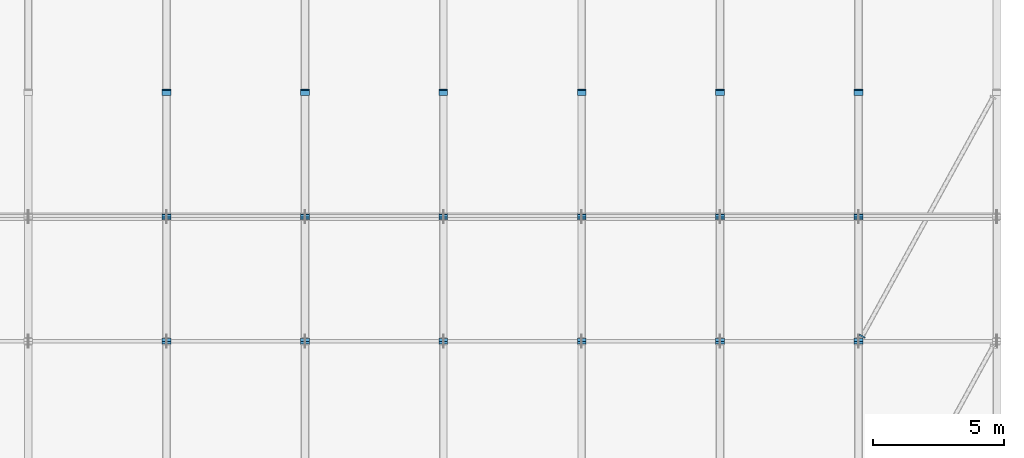
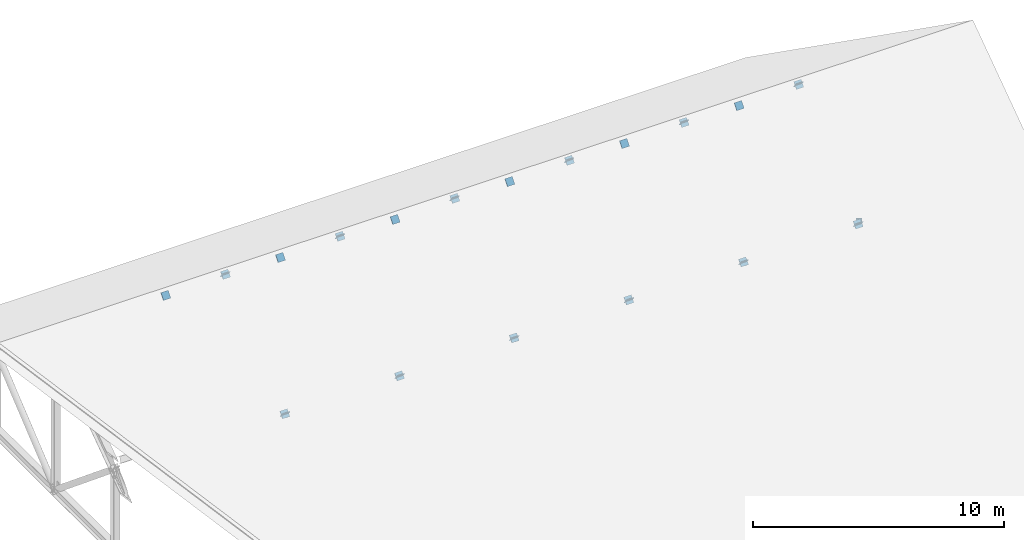
# One storey, part 50 of 57: 37 discrete accessories.
"""IFC4 building model written with IfcOpenShell, lengths in metres."""

import ifcopenshell
import ifcopenshell.guid

model = None  # the IFC model being written
_history = None  # IfcOwnerHistory: only IFC2X3 demands one
_inside = {}  # id of a spatial element -> (the spatial element, [elements in it])
_under = {}  # id of a project, library or spatial element -> (it, [spatial elements below it])
_declared = {}  # id of a project -> (the project, [libraries it declares])
_typed = {}  # id of a type object -> (the type object, [elements of that type])
_made_of = {}  # id of a material, layer set ... -> (it, [elements and type objects made of it])


def new_model(schema):
    """Start an empty IFC model of exactly this schema.

    Asked for "IFC4X3", IfcOpenShell would pick the latest addendum, in which some entities
    have other attributes; the version numbers below select the first issue.
    IFC2X3 requires an IfcOwnerHistory on every rooted entity: one is made here for all.
    """
    global model, _history
    if schema == "IFC4X3":
        model = ifcopenshell.file(schema_version=(4, 3, 0, 0))
    else:
        model = ifcopenshell.file(schema=schema)
    _inside.clear()
    _under.clear()
    _declared.clear()
    _typed.clear()
    _made_of.clear()
    _history = None
    if model.schema == "IFC2X3":
        org = make("IfcOrganization", Name="unknown")
        user = make(
            "IfcPersonAndOrganization",
            ThePerson=make("IfcPerson", FamilyName="unknown"),
            TheOrganization=org,
        )
        app = make(
            "IfcApplication",
            ApplicationDeveloper=org,
            Version="unknown",
            ApplicationFullName="unknown",
            ApplicationIdentifier="unknown",
        )
        _history = make(
            "IfcOwnerHistory",
            OwningUser=user,
            OwningApplication=app,
            ChangeAction="ADDED",
            CreationDate=0,
        )
    return model


def make(cls, **values):
    """One entity of the class cls with the attributes given. An attribute that is None is left unset."""
    return model.create_entity(
        cls, **{name: value for name, value in values.items() if value is not None}
    )


def rooted(cls, **values):
    """An entity with a GlobalId (a new one), such as an element, a storey or a relation."""
    return make(cls, GlobalId=ifcopenshell.guid.new(), OwnerHistory=_history, **values)


def si_unit(unit_type, name, prefix=None):
    """IfcSIUnit, for example si_unit("LENGTHUNIT", "METRE", prefix="MILLI")."""
    return make("IfcSIUnit", UnitType=unit_type, Prefix=prefix, Name=name)


def assignment(units):
    """IfcUnitAssignment: the units of a project."""
    return None if units is None else make("IfcUnitAssignment", Units=units)


def point(xyz):
    """IfcCartesianPoint."""
    return None if xyz is None else make("IfcCartesianPoint", Coordinates=xyz)


def direction(xyz):
    """IfcDirection."""
    return None if xyz is None else make("IfcDirection", DirectionRatios=xyz)


def frame(location, z_axis=None, x_axis=None):
    """IfcAxis2Placement3D, a coordinate frame: its origin and axes. An axis left out is left unset."""
    return make(
        "IfcAxis2Placement3D",
        Location=point(location),
        Axis=direction(z_axis),
        RefDirection=direction(x_axis),
    )


def frame_2d(location, x_axis=None):
    """IfcAxis2Placement2D, a coordinate frame in the plane: its origin and x axis."""
    return make(
        "IfcAxis2Placement2D", Location=point(location), RefDirection=direction(x_axis)
    )


def origin():
    """The frame at (0, 0, 0) with its axes left unset."""
    return frame((0.0, 0.0, 0.0))


def origin_2d():
    """The frame at (0, 0) in the plane with its x axis left unset."""
    return frame_2d((0.0, 0.0))


def place(relative_to, where):
    """IfcLocalPlacement: puts the frame where relative to a parent placement (None: the world)."""
    return make(
        "IfcLocalPlacement", PlacementRelTo=relative_to, RelativePlacement=where
    )


def context(
    kind, dimensions, precision=None, world=None, true_north=None, identifier=None
):
    """IfcGeometricRepresentationContext, for example the 3D "Model" context."""
    return make(
        "IfcGeometricRepresentationContext",
        ContextIdentifier=identifier,
        ContextType=kind,
        CoordinateSpaceDimension=dimensions,
        Precision=precision,
        WorldCoordinateSystem=world,
        TrueNorth=true_north,
    )


def subcontext(parent, identifier, kind, view, scale=None):
    """IfcGeometricRepresentationSubContext, for example "Body" below "Model"."""
    return make(
        "IfcGeometricRepresentationSubContext",
        ContextIdentifier=identifier,
        ContextType=kind,
        ParentContext=parent,
        TargetScale=scale,
        TargetView=view,
    )


def project(units=None, contexts=None):
    """IfcProject with its units and contexts."""
    return rooted(
        "IfcProject",
        Name="project",
        RepresentationContexts=contexts,
        UnitsInContext=assignment(units),
    )


def spatial(cls, under=None, at=None, **own):
    """A site, building, storey or space (cls), placed at a placement, below another one or the project."""
    s = rooted(cls, ObjectPlacement=at, **own)
    if under is not None:
        _under.setdefault(under.id(), (under, []))[1].append(s)
    return s


def profile(cls, at=None, kind="AREA", **sizes):
    """A parametric profile (cls). Its sizes go by their IFC names, for example OverallWidth=200.0."""
    return make(cls, ProfileType=kind, Position=at, **sizes)


def rectangle(**sizes):
    """IfcRectangleProfileDef."""
    return profile("IfcRectangleProfileDef", **sizes)


def extrude(swept, where, along, depth):
    """IfcExtrudedAreaSolid: the profile swept, set in the frame where, extruded along a direction by depth."""
    return make(
        "IfcExtrudedAreaSolid",
        SweptArea=swept,
        Position=where,
        ExtrudedDirection=direction(along),
        Depth=depth,
    )


def shape(context_of_items, identifier, shape_type, items):
    """IfcShapeRepresentation: the items that make up one representation, for example the "Body"."""
    return make(
        "IfcShapeRepresentation",
        ContextOfItems=context_of_items,
        RepresentationIdentifier=identifier,
        RepresentationType=shape_type,
        Items=items,
    )


def material(Name=None, Category=None):
    """IfcMaterial."""
    return make("IfcMaterial", Name=Name, Category=Category)


def material_profile(
    of_material, cross_section, Name=None, Category=None, Priority=None
):
    """IfcMaterialProfile: a cross section and its material."""
    return make(
        "IfcMaterialProfile",
        Name=Name,
        Material=of_material,
        Profile=cross_section,
        Priority=Priority,
        Category=Category,
    )


def profile_set(profiles, Name=None, composite=None):
    """IfcMaterialProfileSet."""
    return make(
        "IfcMaterialProfileSet",
        Name=Name,
        MaterialProfiles=profiles,
        CompositeProfile=composite,
    )


def made_of(thing, what):
    """Note that an element or type object is made of a material, layer set ...; save() writes the relation."""
    if what is not None:
        _made_of.setdefault(what.id(), (what, []))[1].append(thing)
    return thing


def type_object(cls, material=None, **own):
    """A type object (cls), such as IfcWallType, which elements share."""
    return made_of(rooted(cls, **own), material)


def element(
    cls,
    number,
    at=None,
    inside=None,
    cuts=None,
    type_object=None,
    material=None,
    context=None,
    identifier="Body",
    shape_type=None,
    held_by="IfcProductDefinitionShape",
    body=None,
    shapes=None,
    **own,
):
    """One element of the class cls, such as IfcWall. Its Tag is "e" and its number.

    at: its placement. inside: the storey or other place that contains it. cuts: it is an
    opening in that element (IfcRelVoidsElement). A single representation is given by context,
    identifier, shape_type and body (its items); several are given by shapes. held_by: the class
    of the entity that holds the representations. save() writes the other relations.
    """
    e = rooted(cls, Tag="e%d" % number, ObjectPlacement=at, **own)
    if body is not None:
        shapes = [shape(context, identifier, shape_type, body)]
    if shapes is not None:
        e.Representation = make(held_by, Representations=shapes)
    if inside is not None:
        _inside.setdefault(inside.id(), (inside, []))[1].append(e)
    if cuts is not None:
        rooted(
            "IfcRelVoidsElement", RelatingBuildingElement=cuts, RelatedOpeningElement=e
        )
    if type_object is not None:
        _typed.setdefault(type_object.id(), (type_object, []))[1].append(e)
    return made_of(e, material)


def aggregate(whole, parts):
    """IfcRelAggregates: a whole, such as a stair, and the parts it consists of."""
    return rooted("IfcRelAggregates", RelatingObject=whole, RelatedObjects=parts)


def save(model, path):
    """Write the relations noted so far, then the file.

    IfcRelAggregates (storeys below a building ...), IfcRelContainedInSpatialStructure (elements
    in a storey), IfcRelDefinesByType, IfcRelAssociatesMaterial and IfcRelDeclares: one each for
    every whole, place, type object, material and project.
    """
    for whole, parts in _under.values():
        aggregate(whole, parts)
    for where, things in _inside.values():
        rooted(
            "IfcRelContainedInSpatialStructure",
            RelatedElements=things,
            RelatingStructure=where,
        )
    for kind, things in _typed.values():
        rooted("IfcRelDefinesByType", RelatedObjects=things, RelatingType=kind)
    for what, things in _made_of.values():
        rooted("IfcRelAssociatesMaterial", RelatedObjects=things, RelatingMaterial=what)
    for by, libraries in _declared.values():
        rooted("IfcRelDeclares", RelatingContext=by, RelatedDefinitions=libraries)
    model.write(path)


model = new_model("IFC4")

# Units and contexts
model_context = context("Model", 3, precision=1e-05, world=origin(), true_north=direction((0.0, 1.0)))
body_context = subcontext(model_context, "Body", "Model", "MODEL_VIEW")
ifc_project = project(units=[si_unit("LENGTHUNIT", "METRE"), si_unit("AREAUNIT", "SQUARE_METRE"), si_unit("VOLUMEUNIT", "CUBIC_METRE"), si_unit("PLANEANGLEUNIT", "RADIAN"), si_unit("MASSUNIT", "GRAM", prefix="KILO")], contexts=[model_context])

# Site, building, storey
site_placement = place(None, origin())
site = spatial("IfcSite", under=ifc_project, at=site_placement, CompositionType="ELEMENT")
building_placement = place(site_placement, origin())
building = spatial("IfcBuilding", under=site, at=building_placement, Name="Kelarvand Opera House", CompositionType="ELEMENT")
storey_placement = place(building_placement, frame((0.0, 0.0, 33.60009765625)))
storey = spatial("IfcBuildingStorey", under=building, at=storey_placement, Name="Roof", CompositionType="ELEMENT", Elevation=33.60009765625)

# Discrete accessories
ifc_material = material(Name="Steel S355", Category="steel")
ifc_material_profile_1 = material_profile(ifc_material, rectangle(XDim=0.22802734375, YDim=0.22802734375, at=origin_2d()), Name="Welded Steel Hollow End-Cap Plate 228x228x24", Category="steel")
ifc_profile_set_1 = profile_set([ifc_material_profile_1], Name="Steel S355")
discrete_accessory_type_1 = type_object("IfcDiscreteAccessoryType", Name="Welded Steel Hollow End-Cap Plate 228x228x24", PredefinedType="SHOE", material=ifc_profile_set_1)
discrete_accessory_1_placement = place(storey_placement, frame((136.673828125, 62.70703125, -4.800048828125), z_axis=(-0.479325065187, -0.877637443301, 0.0), x_axis=(0.877637443301, -0.479325065187, 0.0)))
element("IfcDiscreteAccessory", 1, at=discrete_accessory_1_placement, inside=storey, type_object=discrete_accessory_type_1, Name="Hollow Section Welded End Cap 435", PredefinedType="SHOE", context=body_context, shape_type="SweptSolid", body=[
    extrude(rectangle(XDim=0.22802734375, YDim=0.22802734375, at=origin_2d()), origin(), (0.0, 0.0, 1.0), 0.0361328125),
])
ifc_material_profile_2 = material_profile(ifc_material, rectangle(XDim=0.3330078125, YDim=0.3330078125, at=origin_2d()), Name="Welded Steel Hollow End-Cap Plate 333x333x24", Category="steel")
ifc_profile_set_2 = profile_set([ifc_material_profile_2], Name="Steel S355")
discrete_accessory_type_2 = type_object("IfcDiscreteAccessoryType", Name="Welded Steel Hollow End-Cap Plate 333x333x24", PredefinedType="SHOE", material=ifc_profile_set_2)
discrete_accessory_2_placement = place(storey_placement, frame((110.1201171875, 72.00634765625, -4.804931640625), z_axis=(0.0, -0.798373260242, 0.602162882725), x_axis=(1.0, 0.0, 0.0)))
element("IfcDiscreteAccessory", 2, at=discrete_accessory_2_placement, inside=storey, type_object=discrete_accessory_type_2, Name="Hollow Section Welded End Cap 284", PredefinedType="SHOE", context=body_context, shape_type="SweptSolid", body=[
    extrude(rectangle(XDim=0.3330078125, YDim=0.3330078125, at=origin_2d()), origin(), (0.0, 0.0, 1.0), 0.0361328125),
])
for number, where, z_axis, x_axis, name in (
    (3, (110.1201171875, 62.493896484375, -4.794921875), (0.0, 0.768778639846, -0.639514974739), (-1.0, 0.0, 0.0), "Hollow Section Welded End Cap 288"),
    (4, (110.1201171875, 62.506103515625, -4.794921875), (0.0, -0.768778639846, -0.639514974739), (1.0, 0.0, 0.0), "Hollow Section Welded End Cap 289"),
    (5, (110.1201171875, 67.243896484375, -0.896484375), (0.0, 0.768778639846, 0.639514974739), (-1.0, 0.0, 0.0), "Hollow Section Welded End Cap 290"),
    (6, (110.1201171875, 67.256103515625, -0.896484375), (0.0, -0.768778639846, 0.639514974739), (1.0, 0.0, 0.0), "Hollow Section Welded End Cap 291"),
    (7, (110.1201171875, 71.993896484375, -4.794921875), (0.0, 0.768778639846, -0.639514974739), (-1.0, 0.0, 0.0), "Hollow Section Welded End Cap 292"),
):
    element("IfcDiscreteAccessory", number, at=place(storey_placement, frame(where, z_axis=z_axis, x_axis=x_axis)), inside=storey, type_object=discrete_accessory_type_2, Name=name, PredefinedType="SHOE", context=body_context, shape_type="SweptSolid", body=[
        extrude(rectangle(XDim=0.3330078125, YDim=0.3330078125, at=origin_2d()), origin(), (0.0, 0.0, 1.0), 0.035888671875),
    ])
discrete_accessory_3_placement = place(storey_placement, frame((115.39990234375, 72.00634765625, -4.804931640625), z_axis=(0.0, -0.798373260242, 0.602162882725), x_axis=(1.0, 0.0, 0.0)))
element("IfcDiscreteAccessory", 8, at=discrete_accessory_3_placement, inside=storey, type_object=discrete_accessory_type_2, Name="Hollow Section Welded End Cap 300", PredefinedType="SHOE", context=body_context, shape_type="SweptSolid", body=[
    extrude(rectangle(XDim=0.3330078125, YDim=0.3330078125, at=origin_2d()), origin(), (0.0, 0.0, 1.0), 0.0361328125),
])
for number, where, z_axis, x_axis, name in (
    (9, (115.39990234375, 62.493896484375, -4.794921875), (0.0, 0.768778639846, -0.639514974739), (-1.0, 0.0, 0.0), "Hollow Section Welded End Cap 304"),
    (10, (115.39990234375, 62.506103515625, -4.794921875), (0.0, -0.768778639846, -0.639514974739), (1.0, 0.0, 0.0), "Hollow Section Welded End Cap 305"),
    (11, (115.39990234375, 67.243896484375, -0.896484375), (0.0, 0.768778639846, 0.639514974739), (-1.0, 0.0, 0.0), "Hollow Section Welded End Cap 306"),
    (12, (115.39990234375, 67.256103515625, -0.896484375), (0.0, -0.768778639846, 0.639514974739), (1.0, 0.0, 0.0), "Hollow Section Welded End Cap 307"),
    (13, (115.39990234375, 71.993896484375, -4.794921875), (0.0, 0.768778639846, -0.639514974739), (-1.0, 0.0, 0.0), "Hollow Section Welded End Cap 308"),
):
    element("IfcDiscreteAccessory", number, at=place(storey_placement, frame(where, z_axis=z_axis, x_axis=x_axis)), inside=storey, type_object=discrete_accessory_type_2, Name=name, PredefinedType="SHOE", context=body_context, shape_type="SweptSolid", body=[
        extrude(rectangle(XDim=0.3330078125, YDim=0.3330078125, at=origin_2d()), origin(), (0.0, 0.0, 1.0), 0.035888671875),
    ])
discrete_accessory_4_placement = place(storey_placement, frame((120.679931640625, 72.00634765625, -4.804931640625), z_axis=(0.0, -0.798373260242, 0.602162882725), x_axis=(1.0, 0.0, 0.0)))
element("IfcDiscreteAccessory", 14, at=discrete_accessory_4_placement, inside=storey, type_object=discrete_accessory_type_2, Name="Hollow Section Welded End Cap 316", PredefinedType="SHOE", context=body_context, shape_type="SweptSolid", body=[
    extrude(rectangle(XDim=0.3330078125, YDim=0.3330078125, at=origin_2d()), origin(), (0.0, 0.0, 1.0), 0.0361328125),
])
for number, where, z_axis, x_axis, name in (
    (15, (120.679931640625, 62.493896484375, -4.794921875), (0.0, 0.768778639846, -0.639514974739), (-1.0, 0.0, 0.0), "Hollow Section Welded End Cap 320"),
    (16, (120.679931640625, 62.506103515625, -4.794921875), (0.0, -0.768778639846, -0.639514974739), (1.0, 0.0, 0.0), "Hollow Section Welded End Cap 321"),
    (17, (120.679931640625, 67.243896484375, -0.896484375), (0.0, 0.768778639846, 0.639514974739), (-1.0, 0.0, 0.0), "Hollow Section Welded End Cap 322"),
    (18, (120.679931640625, 67.256103515625, -0.896484375), (0.0, -0.768778639846, 0.639514974739), (1.0, 0.0, 0.0), "Hollow Section Welded End Cap 323"),
    (19, (120.679931640625, 71.993896484375, -4.794921875), (0.0, 0.768778639846, -0.639514974739), (-1.0, 0.0, 0.0), "Hollow Section Welded End Cap 324"),
):
    element("IfcDiscreteAccessory", number, at=place(storey_placement, frame(where, z_axis=z_axis, x_axis=x_axis)), inside=storey, type_object=discrete_accessory_type_2, Name=name, PredefinedType="SHOE", context=body_context, shape_type="SweptSolid", body=[
        extrude(rectangle(XDim=0.3330078125, YDim=0.3330078125, at=origin_2d()), origin(), (0.0, 0.0, 1.0), 0.035888671875),
    ])
discrete_accessory_5_placement = place(storey_placement, frame((125.9599609375, 72.00634765625, -4.804931640625), z_axis=(0.0, -0.798373260242, 0.602162882725), x_axis=(1.0, 0.0, 0.0)))
element("IfcDiscreteAccessory", 20, at=discrete_accessory_5_placement, inside=storey, type_object=discrete_accessory_type_2, Name="Hollow Section Welded End Cap 332", PredefinedType="SHOE", context=body_context, shape_type="SweptSolid", body=[
    extrude(rectangle(XDim=0.3330078125, YDim=0.3330078125, at=origin_2d()), origin(), (0.0, 0.0, 1.0), 0.0361328125),
])
for number, where, z_axis, x_axis, name in (
    (21, (125.9599609375, 62.493896484375, -4.794921875), (0.0, 0.768778639846, -0.639514974739), (-1.0, 0.0, 0.0), "Hollow Section Welded End Cap 336"),
    (22, (125.9599609375, 62.506103515625, -4.794921875), (0.0, -0.768778639846, -0.639514974739), (1.0, 0.0, 0.0), "Hollow Section Welded End Cap 337"),
    (23, (125.9599609375, 67.243896484375, -0.896484375), (0.0, 0.768778639846, 0.639514974739), (-1.0, 0.0, 0.0), "Hollow Section Welded End Cap 338"),
    (24, (125.9599609375, 67.256103515625, -0.896484375), (0.0, -0.768778639846, 0.639514974739), (1.0, 0.0, 0.0), "Hollow Section Welded End Cap 339"),
    (25, (125.9599609375, 71.993896484375, -4.794921875), (0.0, 0.768778639846, -0.639514974739), (-1.0, 0.0, 0.0), "Hollow Section Welded End Cap 340"),
):
    element("IfcDiscreteAccessory", number, at=place(storey_placement, frame(where, z_axis=z_axis, x_axis=x_axis)), inside=storey, type_object=discrete_accessory_type_2, Name=name, PredefinedType="SHOE", context=body_context, shape_type="SweptSolid", body=[
        extrude(rectangle(XDim=0.3330078125, YDim=0.3330078125, at=origin_2d()), origin(), (0.0, 0.0, 1.0), 0.035888671875),
    ])
discrete_accessory_6_placement = place(storey_placement, frame((131.239990234375, 72.00634765625, -4.804931640625), z_axis=(0.0, -0.798373260242, 0.602162882725), x_axis=(1.0, 0.0, 0.0)))
element("IfcDiscreteAccessory", 26, at=discrete_accessory_6_placement, inside=storey, type_object=discrete_accessory_type_2, Name="Hollow Section Welded End Cap 348", PredefinedType="SHOE", context=body_context, shape_type="SweptSolid", body=[
    extrude(rectangle(XDim=0.3330078125, YDim=0.3330078125, at=origin_2d()), origin(), (0.0, 0.0, 1.0), 0.0361328125),
])
for number, where, z_axis, x_axis, name in (
    (27, (131.239990234375, 62.493896484375, -4.794921875), (0.0, 0.768778639846, -0.639514974739), (-1.0, 0.0, 0.0), "Hollow Section Welded End Cap 352"),
    (28, (131.239990234375, 62.506103515625, -4.794921875), (0.0, -0.768778639846, -0.639514974739), (1.0, 0.0, 0.0), "Hollow Section Welded End Cap 353"),
    (29, (131.239990234375, 67.243896484375, -0.896484375), (0.0, 0.768778639846, 0.639514974739), (-1.0, 0.0, 0.0), "Hollow Section Welded End Cap 354"),
    (30, (131.239990234375, 67.256103515625, -0.896484375), (0.0, -0.768778639846, 0.639514974739), (1.0, 0.0, 0.0), "Hollow Section Welded End Cap 355"),
    (31, (131.239990234375, 71.993896484375, -4.794921875), (0.0, 0.768778639846, -0.639514974739), (-1.0, 0.0, 0.0), "Hollow Section Welded End Cap 356"),
):
    element("IfcDiscreteAccessory", number, at=place(storey_placement, frame(where, z_axis=z_axis, x_axis=x_axis)), inside=storey, type_object=discrete_accessory_type_2, Name=name, PredefinedType="SHOE", context=body_context, shape_type="SweptSolid", body=[
        extrude(rectangle(XDim=0.3330078125, YDim=0.3330078125, at=origin_2d()), origin(), (0.0, 0.0, 1.0), 0.035888671875),
    ])
discrete_accessory_7_placement = place(storey_placement, frame((136.52001953125, 72.00634765625, -4.804931640625), z_axis=(0.0, -0.798373260242, 0.602162882725), x_axis=(1.0, 0.0, 0.0)))
element("IfcDiscreteAccessory", 32, at=discrete_accessory_7_placement, inside=storey, type_object=discrete_accessory_type_2, Name="Hollow Section Welded End Cap 364", PredefinedType="SHOE", context=body_context, shape_type="SweptSolid", body=[
    extrude(rectangle(XDim=0.3330078125, YDim=0.3330078125, at=origin_2d()), origin(), (0.0, 0.0, 1.0), 0.0361328125),
])
for number, where, z_axis, x_axis, name in (
    (33, (136.52001953125, 62.493896484375, -4.794921875), (0.0, 0.768778639846, -0.639514974739), (-1.0, 0.0, 0.0), "Hollow Section Welded End Cap 368"),
    (34, (136.52001953125, 62.506103515625, -4.794921875), (0.0, -0.768778639846, -0.639514974739), (1.0, 0.0, 0.0), "Hollow Section Welded End Cap 369"),
    (35, (136.52001953125, 67.243896484375, -0.896484375), (0.0, 0.768778639846, 0.639514974739), (-1.0, 0.0, 0.0), "Hollow Section Welded End Cap 370"),
    (36, (136.52001953125, 67.256103515625, -0.896484375), (0.0, -0.768778639846, 0.639514974739), (1.0, 0.0, 0.0), "Hollow Section Welded End Cap 371"),
    (37, (136.52001953125, 71.993896484375, -4.794921875), (0.0, 0.768778639846, -0.639514974739), (-1.0, 0.0, 0.0), "Hollow Section Welded End Cap 372"),
):
    element("IfcDiscreteAccessory", number, at=place(storey_placement, frame(where, z_axis=z_axis, x_axis=x_axis)), inside=storey, type_object=discrete_accessory_type_2, Name=name, PredefinedType="SHOE", context=body_context, shape_type="SweptSolid", body=[
        extrude(rectangle(XDim=0.3330078125, YDim=0.3330078125, at=origin_2d()), origin(), (0.0, 0.0, 1.0), 0.035888671875),
    ])

save(model, "model.ifc")
